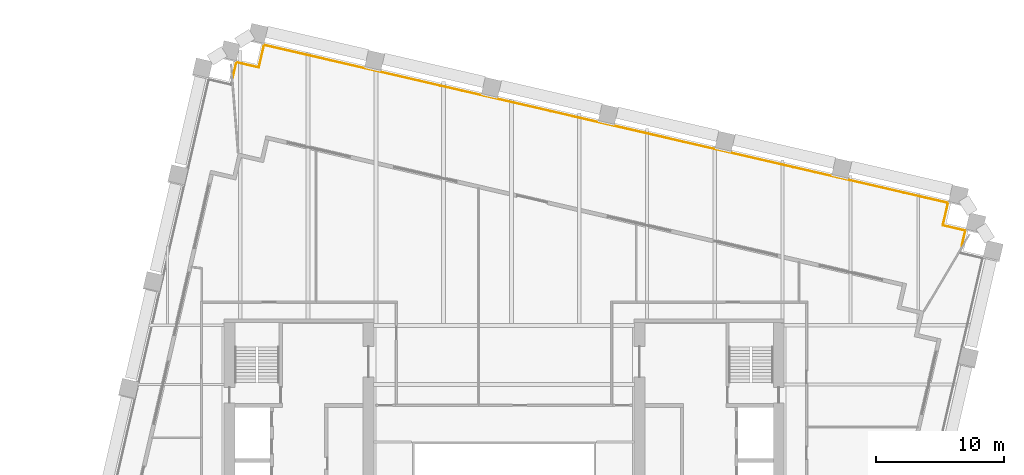
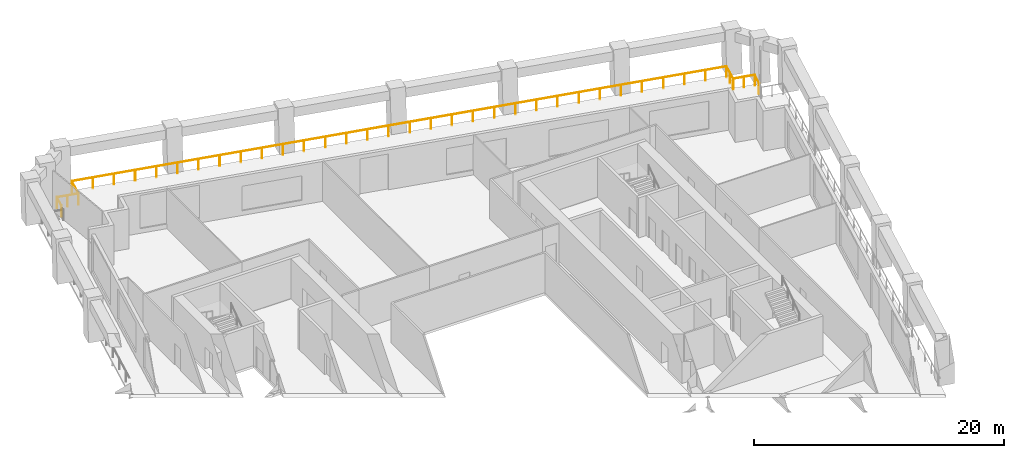
# One storey, part 12 of 12: 1 railing.
"""IFC4 building model written with IfcOpenShell, lengths in metres."""

from ifc_helpers import new_model, si_unit, direction, frame, origin, origin_2d, place, context, subcontext, project, spatial, circle, extrude, material, type_object, element, save


model = new_model("IFC4")

# Units and contexts
model_context = context("Model", 3, precision=1e-05, world=origin(), true_north=direction((0.0, 1.0)))
body_context = subcontext(model_context, "Body", "Model", "MODEL_VIEW")
ifc_project = project(units=[si_unit("LENGTHUNIT", "METRE"), si_unit("AREAUNIT", "SQUARE_METRE"), si_unit("VOLUMEUNIT", "CUBIC_METRE"), si_unit("PLANEANGLEUNIT", "RADIAN"), si_unit("MASSUNIT", "GRAM", prefix="KILO")], contexts=[model_context])

# Site, building, storey
site_placement = place(None, origin())
site = spatial("IfcSite", under=ifc_project, at=site_placement, CompositionType="ELEMENT")
building_placement = place(site_placement, origin())
building = spatial("IfcBuilding", under=site, at=building_placement, Name="Ogive Exchange Tower", CompositionType="ELEMENT")
storey_placement = place(building_placement, frame((0.0, 0.0, 156.0)))
storey = spatial("IfcBuildingStorey", under=building, at=storey_placement, Name="L34", CompositionType="ELEMENT", Elevation=156.0)

# Railing
ifc_material = material(Name="Stainless steel 316", Category="steel")
railing_type = type_object("IfcRailingType", Name="Guard 1100 stainless steel and glass", PredefinedType="GUARDRAIL", material=ifc_material)
railing_placement = place(storey_placement, frame((-21.1572265625, 44.5751953125, -0.050048828125)))
element("IfcRailing", 1, at=railing_placement, inside=storey, type_object=railing_type, Name="Loggia guard 3", PredefinedType="GUARDRAIL", context=body_context, shape_type="SweptSolid", body=[
    extrude(circle(Radius=0.02392578125, at=origin_2d()), frame((0.0, 0.0, 1.076171875), z_axis=(0.225035280162, 0.974350615889, 0.0), x_axis=(-0.974350615889, 0.225035280162, 0.0)), (0.0, 0.0, 1.0), 1.21728515625),
    extrude(circle(Radius=0.02392578125, at=origin_2d()), frame((0.27392578125, 1.18603515625, 1.076171875), z_axis=(0.974386623598, -0.224879318197, 0.0), x_axis=(0.224879318197, 0.974386623598, 0.0)), (0.0, 0.0, 1.0), 1.800048828125),
    extrude(circle(Radius=0.02392578125, at=origin_2d()), frame((2.02783203125, 0.78125, 1.076171875), z_axis=(0.224909041816, 0.974379763188, 0.0), x_axis=(-0.974379763188, 0.224909041816, 0.0)), (0.0, 0.0, 1.0), 1.7998046875),
    extrude(circle(Radius=0.02392578125, at=origin_2d()), frame((2.4326171875, 2.534912109375, 1.076171875), z_axis=(0.974370828407, -0.224947746707, 0.0), x_axis=(0.224947746707, 0.974370828407, 0.0)), (0.0, 0.0, 1.0), 54.760009765625),
    extrude(circle(Radius=0.02392578125, at=origin_2d()), frame((55.7890625, -9.783203125, 1.076171875), z_axis=(-0.224879318197, -0.974386623598, 0.0), x_axis=(0.974386623598, -0.224879318197, 0.0)), (0.0, 0.0, 1.0), 1.800048828125),
    extrude(circle(Radius=0.02392578125, at=origin_2d()), frame((55.38427734375, -11.537109375, 1.076171875), z_axis=(0.974356896201, -0.225008086135, 0.0), x_axis=(0.225008086135, 0.974356896201, 0.0)), (0.0, 0.0, 1.0), 1.800048828125),
    extrude(circle(Radius=0.02392578125, at=origin_2d()), frame((57.13818359375, -11.942138671875, 1.076171875), z_axis=(-0.225035280162, -0.974350615889, 0.0), x_axis=(0.974350615889, -0.225035280162, 0.0)), (0.0, 0.0, 1.0), 1.21728515625),
    extrude(circle(Radius=0.02099609375, at=origin_2d()), origin(), (0.0, 0.0, 1.0), 1.052001953125),
    extrude(circle(Radius=0.02099609375, at=origin_2d()), frame((0.27392578125, 1.18603515625, 0.0)), (0.0, 0.0, 1.0), 1.052001953125),
    extrude(circle(Radius=0.02099609375, at=origin_2d()), frame((1.15087890625, 0.983642578125, 0.0)), (0.0, 0.0, 1.0), 1.052001953125),
    extrude(circle(Radius=0.02099609375, at=origin_2d()), frame((2.02783203125, 0.78125, 0.0)), (0.0, 0.0, 1.0), 1.052001953125),
    extrude(circle(Radius=0.02099609375, at=origin_2d()), frame((2.4326171875, 2.534912109375, 0.0)), (0.0, 0.0, 1.0), 1.052001953125),
    extrude(circle(Radius=0.02099609375, at=origin_2d()), frame((4.15380859375, 2.137451171875, 0.0)), (0.0, 0.0, 1.0), 1.052001953125),
    extrude(circle(Radius=0.02099609375, at=origin_2d()), frame((5.875, 1.740234375, 0.0)), (0.0, 0.0, 1.0), 1.052001953125),
    extrude(circle(Radius=0.02099609375, at=origin_2d()), frame((7.59619140625, 1.3427734375, 0.0)), (0.0, 0.0, 1.0), 1.052001953125),
    extrude(circle(Radius=0.02099609375, at=origin_2d()), frame((9.3173828125, 0.945556640625, 0.0)), (0.0, 0.0, 1.0), 1.052001953125),
    extrude(circle(Radius=0.02099609375, at=origin_2d()), frame((11.03857421875, 0.548095703125, 0.0)), (0.0, 0.0, 1.0), 1.052001953125),
    extrude(circle(Radius=0.02099609375, at=origin_2d()), frame((12.759765625, 0.15087890625, 0.0)), (0.0, 0.0, 1.0), 1.052001953125),
    extrude(circle(Radius=0.02099609375, at=origin_2d()), frame((14.48095703125, -0.24658203125, 0.0)), (0.0, 0.0, 1.0), 1.052001953125),
    extrude(circle(Radius=0.02099609375, at=origin_2d()), frame((16.201904296875, -0.64404296875, 0.0)), (0.0, 0.0, 1.0), 1.052001953125),
    extrude(circle(Radius=0.02099609375, at=origin_2d()), frame((17.923095703125, -1.041259765625, 0.0)), (0.0, 0.0, 1.0), 1.052001953125),
    extrude(circle(Radius=0.02099609375, at=origin_2d()), frame((19.644287109375, -1.438720703125, 0.0)), (0.0, 0.0, 1.0), 1.052001953125),
    extrude(circle(Radius=0.02099609375, at=origin_2d()), frame((21.365478515625, -1.8359375, 0.0)), (0.0, 0.0, 1.0), 1.052001953125),
    extrude(circle(Radius=0.02099609375, at=origin_2d()), frame((23.086669921875, -2.2333984375, 0.0)), (0.0, 0.0, 1.0), 1.052001953125),
    extrude(circle(Radius=0.02099609375, at=origin_2d()), frame((24.807861328125, -2.630859375, 0.0)), (0.0, 0.0, 1.0), 1.052001953125),
    extrude(circle(Radius=0.02099609375, at=origin_2d()), frame((26.529052734375, -3.028076171875, 0.0)), (0.0, 0.0, 1.0), 1.052001953125),
    extrude(circle(Radius=0.02099609375, at=origin_2d()), frame((28.250244140625, -3.425537109375, 0.0)), (0.0, 0.0, 1.0), 1.052001953125),
    extrude(circle(Radius=0.02099609375, at=origin_2d()), frame((29.971435546875, -3.82275390625, 0.0)), (0.0, 0.0, 1.0), 1.052001953125),
    extrude(circle(Radius=0.02099609375, at=origin_2d()), frame((31.692626953125, -4.22021484375, 0.0)), (0.0, 0.0, 1.0), 1.052001953125),
    extrude(circle(Radius=0.02099609375, at=origin_2d()), frame((33.413818359375, -4.617431640625, 0.0)), (0.0, 0.0, 1.0), 1.052001953125),
    extrude(circle(Radius=0.02099609375, at=origin_2d()), frame((35.135009765625, -5.014892578125, 0.0)), (0.0, 0.0, 1.0), 1.052001953125),
    extrude(circle(Radius=0.02099609375, at=origin_2d()), frame((36.856201171875, -5.412353515625, 0.0)), (0.0, 0.0, 1.0), 1.052001953125),
    extrude(circle(Radius=0.02099609375, at=origin_2d()), frame((38.577392578125, -5.8095703125, 0.0)), (0.0, 0.0, 1.0), 1.052001953125),
    extrude(circle(Radius=0.02099609375, at=origin_2d()), frame((40.298583984375, -6.20703125, 0.0)), (0.0, 0.0, 1.0), 1.052001953125),
    extrude(circle(Radius=0.02099609375, at=origin_2d()), frame((42.019775390625, -6.604248046875, 0.0)), (0.0, 0.0, 1.0), 1.052001953125),
    extrude(circle(Radius=0.02099609375, at=origin_2d()), frame((43.74072265625, -7.001708984375, 0.0)), (0.0, 0.0, 1.0), 1.052001953125),
    extrude(circle(Radius=0.02099609375, at=origin_2d()), frame((45.4619140625, -7.399169921875, 0.0)), (0.0, 0.0, 1.0), 1.052001953125),
    extrude(circle(Radius=0.02099609375, at=origin_2d()), frame((47.18310546875, -7.79638671875, 0.0)), (0.0, 0.0, 1.0), 1.052001953125),
    extrude(circle(Radius=0.02099609375, at=origin_2d()), frame((48.904296875, -8.19384765625, 0.0)), (0.0, 0.0, 1.0), 1.052001953125),
    extrude(circle(Radius=0.02099609375, at=origin_2d()), frame((50.62548828125, -8.591064453125, 0.0)), (0.0, 0.0, 1.0), 1.052001953125),
    extrude(circle(Radius=0.02099609375, at=origin_2d()), frame((52.3466796875, -8.988525390625, 0.0)), (0.0, 0.0, 1.0), 1.052001953125),
    extrude(circle(Radius=0.02099609375, at=origin_2d()), frame((54.06787109375, -9.3857421875, 0.0)), (0.0, 0.0, 1.0), 1.052001953125),
    extrude(circle(Radius=0.02099609375, at=origin_2d()), frame((55.7890625, -9.783203125, 0.0)), (0.0, 0.0, 1.0), 1.052001953125),
    extrude(circle(Radius=0.02099609375, at=origin_2d()), frame((55.586669921875, -10.66015625, 0.0)), (0.0, 0.0, 1.0), 1.052001953125),
    extrude(circle(Radius=0.02099609375, at=origin_2d()), frame((55.38427734375, -11.537109375, 0.0)), (0.0, 0.0, 1.0), 1.052001953125),
    extrude(circle(Radius=0.02099609375, at=origin_2d()), frame((56.26123046875, -11.73974609375, 0.0)), (0.0, 0.0, 1.0), 1.052001953125),
    extrude(circle(Radius=0.02099609375, at=origin_2d()), frame((57.13818359375, -11.942138671875, 0.0)), (0.0, 0.0, 1.0), 1.052001953125),
    extrude(circle(Radius=0.02099609375, at=origin_2d()), frame((56.8642578125, -13.128173828125, 0.0)), (0.0, 0.0, 1.0), 1.052001953125),
])

save(model, "model.ifc")
